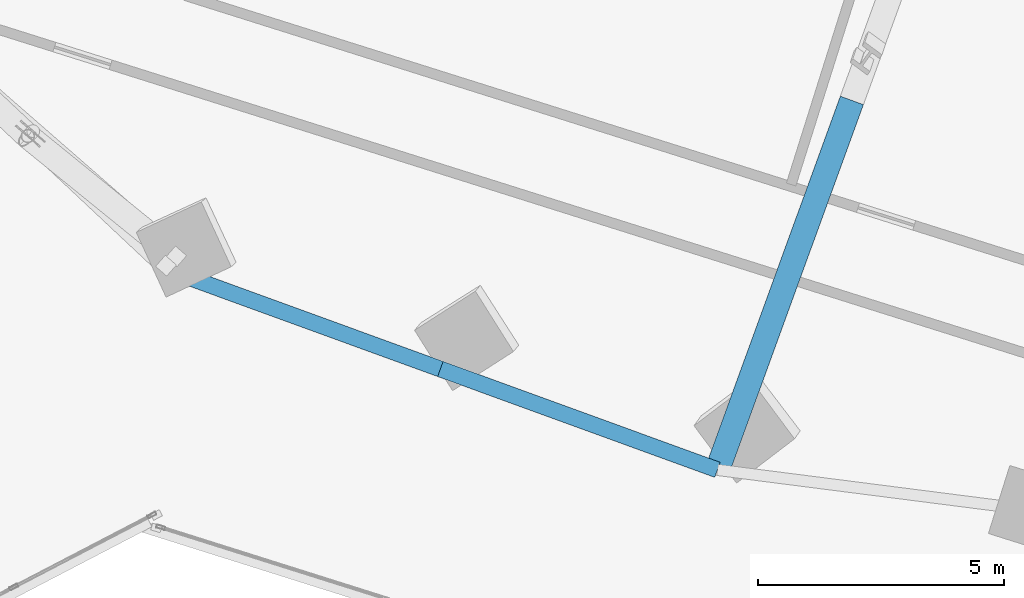
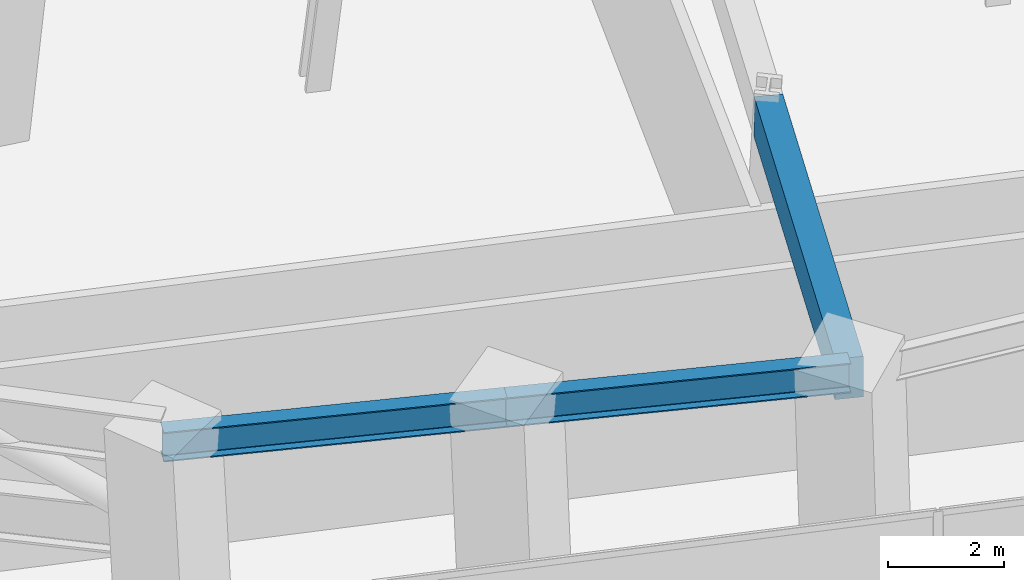
# One storey, part 9 of 29: 3 beams.
"""IFC4 building model written with IfcOpenShell, lengths in metres."""

from ifc_helpers import new_model, si_unit, direction, frame, origin, origin_2d, place, context, subcontext, project, spatial, rectangle, i_section, extrude, source, transform, mapped, material, material_profile, profile_set, type_object, element, save


model = new_model("IFC4")

# Units and contexts
model_context = context("Model", 3, precision=1e-05, world=origin(), true_north=direction((0.0, 1.0)))
body_context = subcontext(model_context, "Body", "Model", "MODEL_VIEW")
ifc_project = project(units=[si_unit("LENGTHUNIT", "METRE"), si_unit("AREAUNIT", "SQUARE_METRE"), si_unit("VOLUMEUNIT", "CUBIC_METRE"), si_unit("PLANEANGLEUNIT", "RADIAN"), si_unit("MASSUNIT", "GRAM", prefix="KILO")], contexts=[model_context])

# Site, building, storey
site_placement = place(None, origin())
site = spatial("IfcSite", under=ifc_project, at=site_placement, CompositionType="ELEMENT")
building_placement = place(site_placement, origin())
building = spatial("IfcBuilding", under=site, at=building_placement, Name="Torre Montelarca", CompositionType="ELEMENT")
storey_placement = place(building_placement, frame((0.0, 0.0, 122.199951171875)))
storey = spatial("IfcBuildingStorey", under=building, at=storey_placement, Name="L27", CompositionType="ELEMENT", Elevation=122.199951171875)

# Beams
ifc_material_1 = material(Name="Steel ASTM A992 Grade 50", Category="steel")
ifc_material_profile_1 = material_profile(ifc_material_1, i_section(OverallWidth=0.326904296875, OverallDepth=0.6220703125, WebThickness=0.015380859375, FlangeThickness=0.0244140625, FilletRadius=0.014892578125, at=origin_2d()), Name="W610X195", Category="steel")
ifc_profile_set_1 = profile_set([ifc_material_profile_1], Name="Steel ASTM A992 Grade 50")
beam_type_1 = type_object("IfcBeamType", Name="BM-G-W610H", PredefinedType="BEAM", material=ifc_profile_set_1)
shared_shape_1 = source(origin(), body_context, "Body", "SweptSolid", [
    extrude(i_section(OverallWidth=0.326904296875, OverallDepth=0.6220703125, WebThickness=0.015380859375, FlangeThickness=0.0244140625, FilletRadius=0.014892578125, at=origin_2d()), origin(), (0.0, 0.0, 1.0), 6.0),
])
for number, where, z_axis, x_axis, name in (
    (1, (32.389404296875, 19.523193359375, 4.80908203125), (0.939686455819, -0.342037080957, 0.0), (0.342037080957, 0.939686455819, 0.0), "L27 Grid Girder X 36.0-42.0 at Y=24.0"),
    (2, (38.027587890625, 17.470947265625, 4.80908203125), (0.939699533273, -0.342001150825, 0.0), (0.342001150825, 0.939699533273, 0.0), "L27 Grid Girder X 42.0-48.0 at Y=24.0"),
):
    element("IfcBeam", number, at=place(storey_placement, frame(where, z_axis=z_axis, x_axis=x_axis)), inside=storey, type_object=beam_type_1, Name=name, PredefinedType="BEAM", context=body_context, shape_type="MappedRepresentation", body=[
        mapped(shared_shape_1, transform((0.0, 0.0, 0.0), scale=1.0)),
    ])
ifc_material_2 = material(Name="Concrete C55/67", Category="concrete")
ifc_material_profile_2 = material_profile(ifc_material_2, rectangle(XDim=0.5, YDim=0.85009765625, at=origin_2d()), Name="RCB500X850", Category="concrete")
ifc_profile_set_2 = profile_set([ifc_material_profile_2], Name="Concrete C55/67")
beam_type_2 = type_object("IfcBeamType", Name="BM-SP-RC850-EXT", PredefinedType="SPANDREL", material=ifc_profile_set_2)
shared_shape_2 = source(origin(), body_context, "Body", "SweptSolid", [
    extrude(rectangle(XDim=0.5, YDim=0.85009765625, at=origin_2d()), origin(), (0.0, 0.0, 1.0), 8.0),
])
beam_placement = place(storey_placement, frame((43.665771484375, 15.4189453125, 4.695068359375), z_axis=(0.342010133499, 0.939696264005, 0.0), x_axis=(-0.939696264005, 0.342010133499, 0.0)))
element("IfcBeam", 3, at=beam_placement, inside=storey, type_object=beam_type_2, Name="L27 Grid Girder Y 24.0-32.0 at X=48.0", PredefinedType="SPANDREL", context=body_context, shape_type="MappedRepresentation", body=[
    mapped(shared_shape_2, transform((0.0, 0.0, 0.0), scale=1.0)),
])

save(model, "model.ifc")
